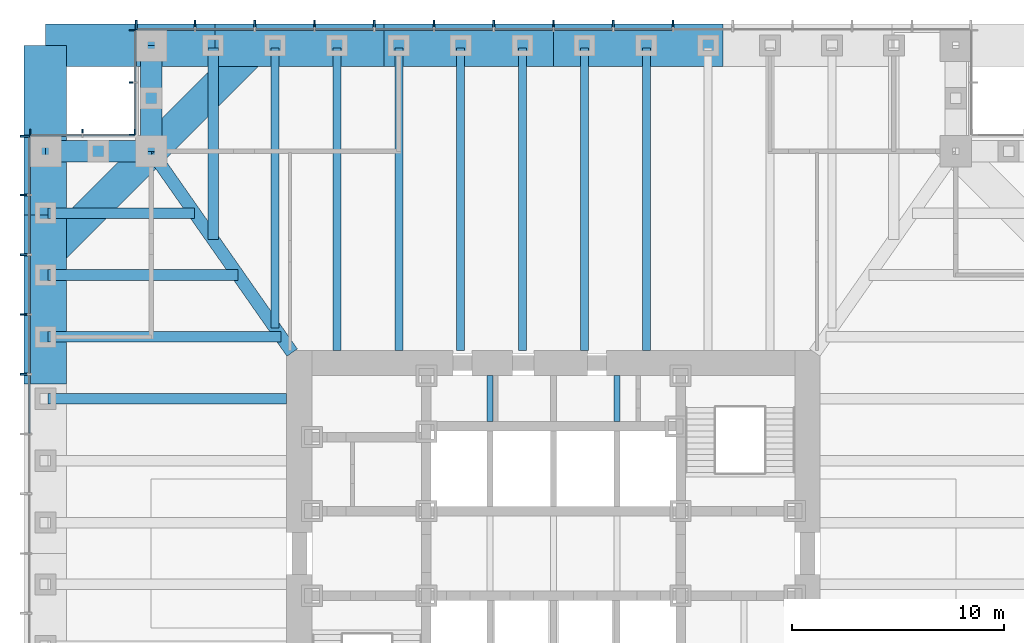
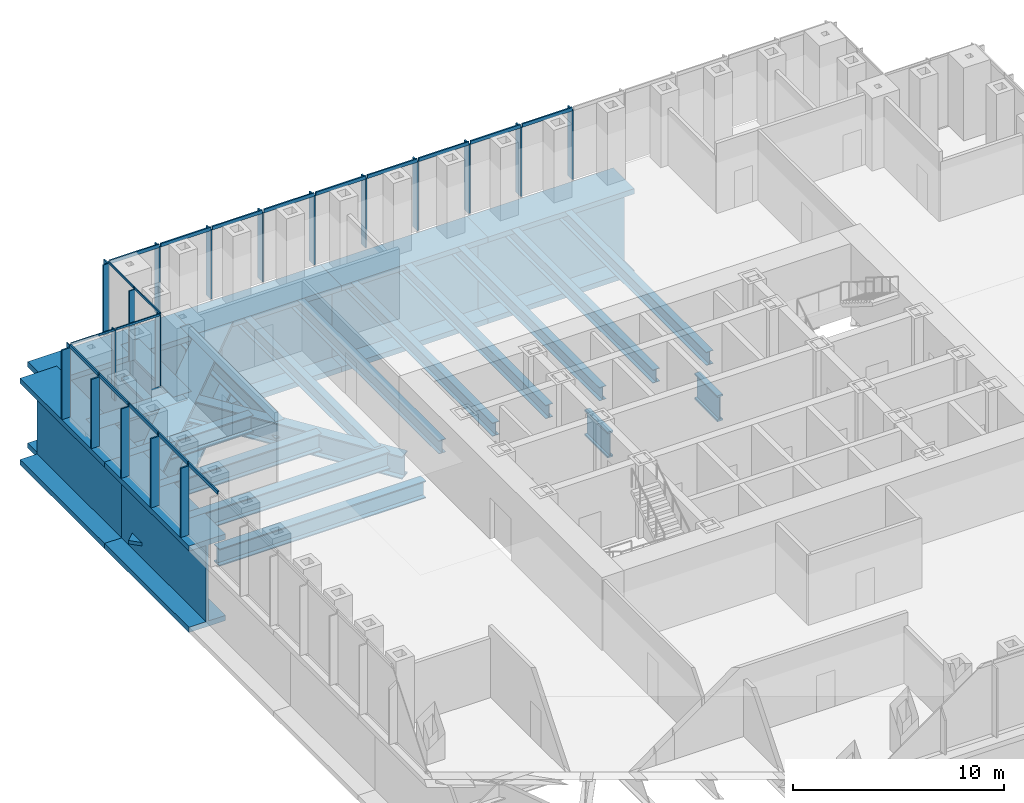
# One storey, part 5 of 16: 39 members, 24 beams, 4 elements without a shape of their own.
"""IFC4 building model written with IfcOpenShell, lengths in metres."""

from ifc_helpers import new_model, si_unit, direction, frame, origin, origin_2d, place, context, subcontext, project, spatial, rectangle, i_section, extrude, material, material_profile, profile_set, type_object, element, aggregate, save


model = new_model("IFC4")

# Units and contexts
model_context = context("Model", 3, precision=1e-05, world=origin(), true_north=direction((0.0, 1.0)))
body_context = subcontext(model_context, "Body", "Model", "MODEL_VIEW")
ifc_project = project(units=[si_unit("LENGTHUNIT", "METRE"), si_unit("AREAUNIT", "SQUARE_METRE"), si_unit("VOLUMEUNIT", "CUBIC_METRE"), si_unit("PLANEANGLEUNIT", "RADIAN"), si_unit("MASSUNIT", "GRAM", prefix="KILO")], contexts=[model_context])

# Site, building, storey
site_placement = place(None, origin())
site = spatial("IfcSite", under=ifc_project, at=site_placement, CompositionType="ELEMENT")
building_placement = place(site_placement, origin())
building = spatial("IfcBuilding", under=site, at=building_placement, Name="Daluyong Arena Tower", CompositionType="ELEMENT")
storey_placement = place(building_placement, frame((0.0, 0.0, 34.89990234375)))
storey = spatial("IfcBuildingStorey", under=building, at=storey_placement, Name="L06", CompositionType="ELEMENT", Elevation=34.89990234375)

# Curtain wall, members
ifc_material_1 = material(Name="Bronze anodised aluminium and glass", Category="aluminium")
curtain_wall_type_1 = type_object("IfcCurtainWallType", Name="Curtain wall CW1", PredefinedType="USERDEFINED", material=ifc_material_1)
curtain_wall_1_placement = place(storey_placement, origin())
curtain_wall_1 = element("IfcCurtainWall", 1, at=curtain_wall_1_placement, inside=storey, type_object=curtain_wall_type_1, Name="curtain wall L06 N", ObjectType="UNITISED CURTAIN WALL", PredefinedType="USERDEFINED")
ifc_material_2 = material(Name="Bronze anodised aluminium fin", Category="aluminium")
ifc_material_profile_1 = material_profile(ifc_material_2, rectangle(XDim=0.449951171875, YDim=0.080078125, at=origin_2d()))
ifc_profile_set_1 = profile_set([ifc_material_profile_1], Name="Bronze anodised aluminium fin")
member_type_1 = type_object("IfcMemberType", Name="CW1 bronze fin 450x80", PredefinedType="MULLION", material=ifc_profile_set_1)
member_1_placement = place(storey_placement, frame((61.642822265625, 104.97509765625, 0.0), z_axis=(0.0, 0.0, 1.0), x_axis=(0.0, -1.0, 0.0)))
member_1 = element("IfcMember", 2, at=member_1_placement, type_object=member_type_1, Name="curtain wall L06 N fin 6", PredefinedType="MULLION", context=body_context, shape_type="SweptSolid", body=[
    extrude(rectangle(XDim=0.449951171875, YDim=0.080078125, at=origin_2d()), origin(), (0.0, 0.0, 1.0), 4.0),
])
member_2_placement = place(storey_placement, frame((58.821533203125, 104.97509765625, 0.0), z_axis=(0.0, 0.0, 1.0), x_axis=(0.0, -1.0, 0.0)))
member_2 = element("IfcMember", 3, at=member_2_placement, type_object=member_type_1, Name="curtain wall L06 N fin 7", PredefinedType="MULLION", context=body_context, shape_type="SweptSolid", body=[
    extrude(rectangle(XDim=0.449951171875, YDim=0.080078125, at=origin_2d()), origin(), (0.0, 0.0, 1.0), 4.0),
])
member_3_placement = place(storey_placement, frame((56.0, 104.97509765625, 0.0), z_axis=(0.0, 0.0, 1.0), x_axis=(0.0, -1.0, 0.0)))
member_3 = element("IfcMember", 4, at=member_3_placement, type_object=member_type_1, Name="curtain wall L06 N fin 8", PredefinedType="MULLION", context=body_context, shape_type="SweptSolid", body=[
    extrude(rectangle(XDim=0.449951171875, YDim=0.080078125, at=origin_2d()), origin(), (0.0, 0.0, 1.0), 4.0),
])
member_4_placement = place(storey_placement, frame((53.178466796875, 104.97509765625, 0.0), z_axis=(0.0, 0.0, 1.0), x_axis=(0.0, -1.0, 0.0)))
member_4 = element("IfcMember", 5, at=member_4_placement, type_object=member_type_1, Name="curtain wall L06 N fin 9", PredefinedType="MULLION", context=body_context, shape_type="SweptSolid", body=[
    extrude(rectangle(XDim=0.449951171875, YDim=0.080078125, at=origin_2d()), origin(), (0.0, 0.0, 1.0), 4.0),
])
member_5_placement = place(storey_placement, frame((50.357177734375, 104.97509765625, 0.0), z_axis=(0.0, 0.0, 1.0), x_axis=(0.0, -1.0, 0.0)))
member_5 = element("IfcMember", 6, at=member_5_placement, type_object=member_type_1, Name="curtain wall L06 N fin 10", PredefinedType="MULLION", context=body_context, shape_type="SweptSolid", body=[
    extrude(rectangle(XDim=0.449951171875, YDim=0.080078125, at=origin_2d()), origin(), (0.0, 0.0, 1.0), 4.0),
])
member_6_placement = place(storey_placement, frame((47.53564453125, 104.97509765625, 0.0), z_axis=(0.0, 0.0, 1.0), x_axis=(0.0, -1.0, 0.0)))
member_6 = element("IfcMember", 7, at=member_6_placement, type_object=member_type_1, Name="curtain wall L06 N fin 11", PredefinedType="MULLION", context=body_context, shape_type="SweptSolid", body=[
    extrude(rectangle(XDim=0.449951171875, YDim=0.080078125, at=origin_2d()), origin(), (0.0, 0.0, 1.0), 4.0),
])
member_7_placement = place(storey_placement, frame((44.71435546875, 104.97509765625, 0.0), z_axis=(0.0, 0.0, 1.0), x_axis=(0.0, -1.0, 0.0)))
member_7 = element("IfcMember", 8, at=member_7_placement, type_object=member_type_1, Name="curtain wall L06 N fin 12", PredefinedType="MULLION", context=body_context, shape_type="SweptSolid", body=[
    extrude(rectangle(XDim=0.449951171875, YDim=0.080078125, at=origin_2d()), origin(), (0.0, 0.0, 1.0), 4.0),
])
member_8_placement = place(storey_placement, frame((41.892822265625, 104.97509765625, 0.0), z_axis=(0.0, 0.0, 1.0), x_axis=(0.0, -1.0, 0.0)))
member_8 = element("IfcMember", 9, at=member_8_placement, type_object=member_type_1, Name="curtain wall L06 N fin 13", PredefinedType="MULLION", context=body_context, shape_type="SweptSolid", body=[
    extrude(rectangle(XDim=0.449951171875, YDim=0.080078125, at=origin_2d()), origin(), (0.0, 0.0, 1.0), 4.0),
])
member_9_placement = place(storey_placement, frame((39.071533203125, 104.97509765625, 0.0), z_axis=(0.0, 0.0, 1.0), x_axis=(0.0, -1.0, 0.0)))
member_9 = element("IfcMember", 10, at=member_9_placement, type_object=member_type_1, Name="curtain wall L06 N fin 14", PredefinedType="MULLION", context=body_context, shape_type="SweptSolid", body=[
    extrude(rectangle(XDim=0.449951171875, YDim=0.080078125, at=origin_2d()), origin(), (0.0, 0.0, 1.0), 4.0),
])
member_10_placement = place(storey_placement, frame((36.2900390625, 104.97509765625, 0.0), z_axis=(0.0, 0.0, 1.0), x_axis=(0.0, -1.0, 0.0)))
member_10 = element("IfcMember", 11, at=member_10_placement, type_object=member_type_1, Name="curtain wall L06 N fin 15", PredefinedType="MULLION", context=body_context, shape_type="SweptSolid", body=[
    extrude(rectangle(XDim=0.449951171875, YDim=0.080078125, at=origin_2d()), origin(), (0.0, 0.0, 1.0), 4.0),
])

curtain_wall_2_placement = place(storey_placement, origin())
curtain_wall_2 = element("IfcCurtainWall", 12, at=curtain_wall_2_placement, inside=storey, type_object=curtain_wall_type_1, Name="curtain wall L06 W", ObjectType="UNITISED CURTAIN WALL", PredefinedType="USERDEFINED")
member_11_placement = place(storey_placement, frame((31.02490234375, 99.7099609375, 0.0), z_axis=(0.0, 0.0, 1.0), x_axis=(1.0, 0.0, 0.0)))
member_11 = element("IfcMember", 13, at=member_11_placement, type_object=member_type_1, Name="curtain wall L06 W fin 1", PredefinedType="MULLION", context=body_context, shape_type="SweptSolid", body=[
    extrude(rectangle(XDim=0.449951171875, YDim=0.080078125, at=origin_2d()), origin(), (0.0, 0.0, 1.0), 4.0),
])
member_12_placement = place(storey_placement, frame((31.02490234375, 96.928466796875, 0.0), z_axis=(0.0, 0.0, 1.0), x_axis=(1.0, 0.0, 0.0)))
member_12 = element("IfcMember", 14, at=member_12_placement, type_object=member_type_1, Name="curtain wall L06 W fin 2", PredefinedType="MULLION", context=body_context, shape_type="SweptSolid", body=[
    extrude(rectangle(XDim=0.449951171875, YDim=0.080078125, at=origin_2d()), origin(), (0.0, 0.0, 1.0), 4.0),
])
member_13_placement = place(storey_placement, frame((31.02490234375, 94.107177734375, 0.0), z_axis=(0.0, 0.0, 1.0), x_axis=(1.0, 0.0, 0.0)))
member_13 = element("IfcMember", 15, at=member_13_placement, type_object=member_type_1, Name="curtain wall L06 W fin 3", PredefinedType="MULLION", context=body_context, shape_type="SweptSolid", body=[
    extrude(rectangle(XDim=0.449951171875, YDim=0.080078125, at=origin_2d()), origin(), (0.0, 0.0, 1.0), 4.0),
])
member_14_placement = place(storey_placement, frame((31.02490234375, 91.28564453125, 0.0), z_axis=(0.0, 0.0, 1.0), x_axis=(1.0, 0.0, 0.0)))
member_14 = element("IfcMember", 16, at=member_14_placement, type_object=member_type_1, Name="curtain wall L06 W fin 4", PredefinedType="MULLION", context=body_context, shape_type="SweptSolid", body=[
    extrude(rectangle(XDim=0.449951171875, YDim=0.080078125, at=origin_2d()), origin(), (0.0, 0.0, 1.0), 4.0),
])
member_15_placement = place(storey_placement, frame((31.02490234375, 88.46435546875, 0.0), z_axis=(0.0, 0.0, 1.0), x_axis=(1.0, 0.0, 0.0)))
member_15 = element("IfcMember", 17, at=member_15_placement, type_object=member_type_1, Name="curtain wall L06 W fin 5", PredefinedType="MULLION", context=body_context, shape_type="SweptSolid", body=[
    extrude(rectangle(XDim=0.449951171875, YDim=0.080078125, at=origin_2d()), origin(), (0.0, 0.0, 1.0), 4.0),
])

# Member
ifc_material_3 = material(Name="Bronze anodised aluminium", Category="aluminium")
ifc_material_profile_2 = material_profile(ifc_material_3, rectangle(XDim=0.080078125, YDim=0.199951171875, at=origin_2d()))
ifc_profile_set_2 = profile_set([ifc_material_profile_2], Name="Bronze anodised aluminium")
member_type_2 = type_object("IfcMemberType", Name="CW1 stack transom 200x80", PredefinedType="USERDEFINED", material=ifc_profile_set_2)
member_16_placement = place(storey_placement, frame((61.602783203125, 104.75, 4.10009765625), z_axis=(-1.0, 0.0, 0.0), x_axis=(0.0, -1.0, 0.0)))
member_16 = element("IfcMember", 18, at=member_16_placement, type_object=member_type_2, Name="curtain wall L06 N transom 6", ObjectType="TRANSOM", PredefinedType="USERDEFINED", context=body_context, shape_type="SweptSolid", body=[
    extrude(rectangle(XDim=0.080078125, YDim=0.199951171875, at=origin_2d()), origin(), (0.0, 0.0, 1.0), 2.741455078125),
])

member_17_placement = place(storey_placement, frame((58.781494140625, 104.75, 4.10009765625), z_axis=(-1.0, 0.0, 0.0), x_axis=(0.0, -1.0, 0.0)))
member_17 = element("IfcMember", 19, at=member_17_placement, type_object=member_type_2, Name="curtain wall L06 N transom 7", ObjectType="TRANSOM", PredefinedType="USERDEFINED", context=body_context, shape_type="SweptSolid", body=[
    extrude(rectangle(XDim=0.080078125, YDim=0.199951171875, at=origin_2d()), origin(), (0.0, 0.0, 1.0), 2.741455078125),
])

member_18_placement = place(storey_placement, frame((55.9599609375, 104.75, 4.10009765625), z_axis=(-1.0, 0.0, 0.0), x_axis=(0.0, -1.0, 0.0)))
member_18 = element("IfcMember", 20, at=member_18_placement, type_object=member_type_2, Name="curtain wall L06 N transom 8", ObjectType="TRANSOM", PredefinedType="USERDEFINED", context=body_context, shape_type="SweptSolid", body=[
    extrude(rectangle(XDim=0.080078125, YDim=0.199951171875, at=origin_2d()), origin(), (0.0, 0.0, 1.0), 2.741455078125),
])

member_19_placement = place(storey_placement, frame((53.138671875, 104.75, 4.10009765625), z_axis=(-1.0, 0.0, 0.0), x_axis=(0.0, -1.0, 0.0)))
member_19 = element("IfcMember", 21, at=member_19_placement, type_object=member_type_2, Name="curtain wall L06 N transom 9", ObjectType="TRANSOM", PredefinedType="USERDEFINED", context=body_context, shape_type="SweptSolid", body=[
    extrude(rectangle(XDim=0.080078125, YDim=0.199951171875, at=origin_2d()), origin(), (0.0, 0.0, 1.0), 2.741455078125),
])

member_20_placement = place(storey_placement, frame((50.317138671875, 104.75, 4.10009765625), z_axis=(-1.0, 0.0, 0.0), x_axis=(0.0, -1.0, 0.0)))
member_20 = element("IfcMember", 22, at=member_20_placement, type_object=member_type_2, Name="curtain wall L06 N transom 10", ObjectType="TRANSOM", PredefinedType="USERDEFINED", context=body_context, shape_type="SweptSolid", body=[
    extrude(rectangle(XDim=0.080078125, YDim=0.199951171875, at=origin_2d()), origin(), (0.0, 0.0, 1.0), 2.741455078125),
])

member_21_placement = place(storey_placement, frame((47.49560546875, 104.75, 4.10009765625), z_axis=(-1.0, 0.0, 0.0), x_axis=(0.0, -1.0, 0.0)))
member_21 = element("IfcMember", 23, at=member_21_placement, type_object=member_type_2, Name="curtain wall L06 N transom 11", ObjectType="TRANSOM", PredefinedType="USERDEFINED", context=body_context, shape_type="SweptSolid", body=[
    extrude(rectangle(XDim=0.080078125, YDim=0.199951171875, at=origin_2d()), origin(), (0.0, 0.0, 1.0), 2.7412109375),
])

member_22_placement = place(storey_placement, frame((44.67431640625, 104.75, 4.10009765625), z_axis=(-1.0, 0.0, 0.0), x_axis=(0.0, -1.0, 0.0)))
member_22 = element("IfcMember", 24, at=member_22_placement, type_object=member_type_2, Name="curtain wall L06 N transom 12", ObjectType="TRANSOM", PredefinedType="USERDEFINED", context=body_context, shape_type="SweptSolid", body=[
    extrude(rectangle(XDim=0.080078125, YDim=0.199951171875, at=origin_2d()), origin(), (0.0, 0.0, 1.0), 2.741455078125),
])

member_23_placement = place(storey_placement, frame((41.852783203125, 104.75, 4.10009765625), z_axis=(-1.0, 0.0, 0.0), x_axis=(0.0, -1.0, 0.0)))
member_23 = element("IfcMember", 25, at=member_23_placement, type_object=member_type_2, Name="curtain wall L06 N transom 13", ObjectType="TRANSOM", PredefinedType="USERDEFINED", context=body_context, shape_type="SweptSolid", body=[
    extrude(rectangle(XDim=0.080078125, YDim=0.199951171875, at=origin_2d()), origin(), (0.0, 0.0, 1.0), 2.741455078125),
])

member_24_placement = place(storey_placement, frame((39.031494140625, 104.75, 4.10009765625), z_axis=(-1.0, 0.0, 0.0), x_axis=(0.0, -1.0, 0.0)))
member_24 = element("IfcMember", 26, at=member_24_placement, type_object=member_type_2, Name="curtain wall L06 N transom 14", ObjectType="TRANSOM", PredefinedType="USERDEFINED", context=body_context, shape_type="SweptSolid", body=[
    extrude(rectangle(XDim=0.080078125, YDim=0.199951171875, at=origin_2d()), origin(), (0.0, 0.0, 1.0), 2.701416015625),
])

aggregate(curtain_wall_1, [member_1, member_2, member_3, member_4, member_5, member_6, member_7, member_8, member_9, member_10, member_16, member_17, member_18, member_19, member_20, member_21, member_22, member_23, member_24])

member_25_placement = place(storey_placement, frame((31.25, 99.669921875, 4.10009765625), z_axis=(0.0, -1.0, 0.0), x_axis=(1.0, 0.0, 0.0)))
member_25 = element("IfcMember", 27, at=member_25_placement, type_object=member_type_2, Name="curtain wall L06 W transom 1", ObjectType="TRANSOM", PredefinedType="USERDEFINED", context=body_context, shape_type="SweptSolid", body=[
    extrude(rectangle(XDim=0.080078125, YDim=0.199951171875, at=origin_2d()), origin(), (0.0, 0.0, 1.0), 2.701416015625),
])

member_26_placement = place(storey_placement, frame((31.25, 96.888671875, 4.10009765625), z_axis=(0.0, -1.0, 0.0), x_axis=(1.0, 0.0, 0.0)))
member_26 = element("IfcMember", 28, at=member_26_placement, type_object=member_type_2, Name="curtain wall L06 W transom 2", ObjectType="TRANSOM", PredefinedType="USERDEFINED", context=body_context, shape_type="SweptSolid", body=[
    extrude(rectangle(XDim=0.080078125, YDim=0.199951171875, at=origin_2d()), origin(), (0.0, 0.0, 1.0), 2.741455078125),
])

member_27_placement = place(storey_placement, frame((31.25, 94.067138671875, 4.10009765625), z_axis=(0.0, -1.0, 0.0), x_axis=(1.0, 0.0, 0.0)))
member_27 = element("IfcMember", 29, at=member_27_placement, type_object=member_type_2, Name="curtain wall L06 W transom 3", ObjectType="TRANSOM", PredefinedType="USERDEFINED", context=body_context, shape_type="SweptSolid", body=[
    extrude(rectangle(XDim=0.080078125, YDim=0.199951171875, at=origin_2d()), origin(), (0.0, 0.0, 1.0), 2.741455078125),
])

member_28_placement = place(storey_placement, frame((31.25, 91.24560546875, 4.10009765625), z_axis=(0.0, -1.0, 0.0), x_axis=(1.0, 0.0, 0.0)))
member_28 = element("IfcMember", 30, at=member_28_placement, type_object=member_type_2, Name="curtain wall L06 W transom 4", ObjectType="TRANSOM", PredefinedType="USERDEFINED", context=body_context, shape_type="SweptSolid", body=[
    extrude(rectangle(XDim=0.080078125, YDim=0.199951171875, at=origin_2d()), origin(), (0.0, 0.0, 1.0), 2.7412109375),
])

member_29_placement = place(storey_placement, frame((31.25, 88.42431640625, 4.10009765625), z_axis=(0.0, -1.0, 0.0), x_axis=(1.0, 0.0, 0.0)))
member_29 = element("IfcMember", 31, at=member_29_placement, type_object=member_type_2, Name="curtain wall L06 W transom 5", ObjectType="TRANSOM", PredefinedType="USERDEFINED", context=body_context, shape_type="SweptSolid", body=[
    extrude(rectangle(XDim=0.080078125, YDim=0.199951171875, at=origin_2d()), origin(), (0.0, 0.0, 1.0), 2.741455078125),
])

aggregate(curtain_wall_2, [member_11, member_12, member_13, member_14, member_15, member_25, member_26, member_27, member_28, member_29])

# Curtain wall, members
ifc_material_4 = material(Name="Bronze anodised aluminium and glass", Category="aluminium")
curtain_wall_type_2 = type_object("IfcCurtainWallType", Name="Curtain wall CW7", PredefinedType="USERDEFINED", material=ifc_material_4)
curtain_wall_3_placement = place(storey_placement, origin())
curtain_wall_3 = element("IfcCurtainWall", 32, at=curtain_wall_3_placement, inside=storey, type_object=curtain_wall_type_2, Name="curtain wall L06 NW-W", ObjectType="UNITISED CURTAIN WALL", PredefinedType="USERDEFINED")
ifc_material_5 = material(Name="Bronze anodised aluminium fin", Category="aluminium")
ifc_material_profile_3 = material_profile(ifc_material_5, rectangle(XDim=0.300048828125, YDim=0.06005859375, at=origin_2d()))
ifc_profile_set_3 = profile_set([ifc_material_profile_3], Name="Bronze anodised aluminium fin")
member_type_3 = type_object("IfcMemberType", Name="CW7 bronze fin 300x60", PredefinedType="MULLION", material=ifc_profile_set_3)
member_30_placement = place(storey_placement, frame((36.10009765625, 104.719970703125, 0.0), z_axis=(0.0, 0.0, 1.0), x_axis=(1.0, 0.0, 0.0)))
member_30 = element("IfcMember", 33, at=member_30_placement, type_object=member_type_3, Name="curtain wall L06 NW-W fin 1", PredefinedType="MULLION", context=body_context, shape_type="SweptSolid", body=[
    extrude(rectangle(XDim=0.300048828125, YDim=0.06005859375, at=origin_2d()), origin(), (0.0, 0.0, 1.0), 4.080078125),
])
member_31_placement = place(storey_placement, frame((36.10009765625, 102.25, 0.0), z_axis=(0.0, 0.0, 1.0), x_axis=(1.0, 0.0, 0.0)))
member_31 = element("IfcMember", 34, at=member_31_placement, type_object=member_type_3, Name="curtain wall L06 NW-W fin 2", PredefinedType="MULLION", context=body_context, shape_type="SweptSolid", body=[
    extrude(rectangle(XDim=0.300048828125, YDim=0.06005859375, at=origin_2d()), origin(), (0.0, 0.0, 1.0), 4.080078125),
])
member_32_placement = place(storey_placement, frame((36.10009765625, 99.780029296875, 0.0), z_axis=(0.0, 0.0, 1.0), x_axis=(1.0, 0.0, 0.0)))
member_32 = element("IfcMember", 35, at=member_32_placement, type_object=member_type_3, Name="curtain wall L06 NW-W fin 3", PredefinedType="MULLION", context=body_context, shape_type="SweptSolid", body=[
    extrude(rectangle(XDim=0.300048828125, YDim=0.06005859375, at=origin_2d()), origin(), (0.0, 0.0, 1.0), 4.080078125),
])

curtain_wall_4_placement = place(storey_placement, origin())
curtain_wall_4 = element("IfcCurtainWall", 36, at=curtain_wall_4_placement, inside=storey, type_object=curtain_wall_type_2, Name="curtain wall L06 NW-N", ObjectType="UNITISED CURTAIN WALL", PredefinedType="USERDEFINED")
member_33_placement = place(storey_placement, frame((36.219970703125, 99.89990234375, 0.0), z_axis=(0.0, 0.0, 1.0), x_axis=(0.0, -1.0, 0.0)))
member_33 = element("IfcMember", 37, at=member_33_placement, type_object=member_type_3, Name="curtain wall L06 NW-N fin 1", PredefinedType="MULLION", context=body_context, shape_type="SweptSolid", body=[
    extrude(rectangle(XDim=0.300048828125, YDim=0.06005859375, at=origin_2d()), origin(), (0.0, 0.0, 1.0), 4.080078125),
])
member_34_placement = place(storey_placement, frame((33.75, 99.89990234375, 0.0), z_axis=(0.0, 0.0, 1.0), x_axis=(0.0, -1.0, 0.0)))
member_34 = element("IfcMember", 38, at=member_34_placement, type_object=member_type_3, Name="curtain wall L06 NW-N fin 2", PredefinedType="MULLION", context=body_context, shape_type="SweptSolid", body=[
    extrude(rectangle(XDim=0.300048828125, YDim=0.06005859375, at=origin_2d()), origin(), (0.0, 0.0, 1.0), 4.080078125),
])
member_35_placement = place(storey_placement, frame((31.280029296875, 99.89990234375, 0.0), z_axis=(0.0, 0.0, 1.0), x_axis=(0.0, -1.0, 0.0)))
member_35 = element("IfcMember", 39, at=member_35_placement, type_object=member_type_3, Name="curtain wall L06 NW-N fin 3", PredefinedType="MULLION", context=body_context, shape_type="SweptSolid", body=[
    extrude(rectangle(XDim=0.300048828125, YDim=0.06005859375, at=origin_2d()), origin(), (0.0, 0.0, 1.0), 4.080078125),
])

# Member
ifc_material_6 = material(Name="Bronze anodised aluminium", Category="aluminium")
ifc_material_profile_4 = material_profile(ifc_material_6, rectangle(XDim=0.06005859375, YDim=0.1201171875, at=origin_2d()))
ifc_profile_set_4 = profile_set([ifc_material_profile_4], Name="Bronze anodised aluminium")
member_type_4 = type_object("IfcMemberType", Name="CW7 stack transom 120x60", PredefinedType="USERDEFINED", material=ifc_profile_set_4)
member_36_placement = place(storey_placement, frame((36.25, 104.68994140625, 4.14013671875), z_axis=(0.0, -1.0, 0.0), x_axis=(1.0, 0.0, 0.0)))
member_36 = element("IfcMember", 40, at=member_36_placement, type_object=member_type_4, Name="curtain wall L06 NW-W transom 1", ObjectType="TRANSOM", PredefinedType="USERDEFINED", context=body_context, shape_type="SweptSolid", body=[
    extrude(rectangle(XDim=0.06005859375, YDim=0.1201171875, at=origin_2d()), origin(), (0.0, 0.0, 1.0), 2.409912109375),
])

member_37_placement = place(storey_placement, frame((36.25, 102.219970703125, 4.14013671875), z_axis=(0.0, -1.0, 0.0), x_axis=(1.0, 0.0, 0.0)))
member_37 = element("IfcMember", 41, at=member_37_placement, type_object=member_type_4, Name="curtain wall L06 NW-W transom 2", ObjectType="TRANSOM", PredefinedType="USERDEFINED", context=body_context, shape_type="SweptSolid", body=[
    extrude(rectangle(XDim=0.06005859375, YDim=0.1201171875, at=origin_2d()), origin(), (0.0, 0.0, 1.0), 2.409912109375),
])

aggregate(curtain_wall_3, [member_30, member_31, member_32, member_36, member_37])

member_38_placement = place(storey_placement, frame((36.18994140625, 99.75, 4.14013671875), z_axis=(-1.0, 0.0, 0.0), x_axis=(0.0, -1.0, 0.0)))
member_38 = element("IfcMember", 42, at=member_38_placement, type_object=member_type_4, Name="curtain wall L06 NW-N transom 1", ObjectType="TRANSOM", PredefinedType="USERDEFINED", context=body_context, shape_type="SweptSolid", body=[
    extrude(rectangle(XDim=0.06005859375, YDim=0.1201171875, at=origin_2d()), origin(), (0.0, 0.0, 1.0), 2.409912109375),
])

member_39_placement = place(storey_placement, frame((33.719970703125, 99.75, 4.14013671875), z_axis=(-1.0, 0.0, 0.0), x_axis=(0.0, -1.0, 0.0)))
member_39 = element("IfcMember", 43, at=member_39_placement, type_object=member_type_4, Name="curtain wall L06 NW-N transom 2", ObjectType="TRANSOM", PredefinedType="USERDEFINED", context=body_context, shape_type="SweptSolid", body=[
    extrude(rectangle(XDim=0.06005859375, YDim=0.1201171875, at=origin_2d()), origin(), (0.0, 0.0, 1.0), 2.409912109375),
])

aggregate(curtain_wall_4, [member_33, member_34, member_35, member_38, member_39])

# Beams
ifc_material_7 = material(Name="Steel ASTM A572 Grade 50", Category="steel")
ifc_material_profile_5 = material_profile(ifc_material_7, i_section(OverallWidth=0.60009765625, OverallDepth=1.300048828125, WebThickness=0.035, FlangeThickness=0.07, at=origin_2d()))
ifc_profile_set_5 = profile_set([ifc_material_profile_5], Name="Steel ASTM A572 Grade 50")
beam_type_1 = type_object("IfcBeamType", Name="Corner girder TB1300X600", PredefinedType="BEAM", material=ifc_profile_set_5)
beam_1_placement = place(storey_placement, frame((37.06591796875, 98.90576171875, -0.949951171875), z_axis=(0.573466621875, -0.819228926244, 0.0), x_axis=(0.819228926244, 0.573466621875, 0.0)))
element("IfcBeam", 44, at=beam_1_placement, inside=storey, type_object=beam_type_1, Name="corner girder DG1", PredefinedType="BEAM", context=body_context, shape_type="SweptSolid", body=[
    extrude(i_section(OverallWidth=0.60009765625, OverallDepth=1.300048828125, WebThickness=0.035, FlangeThickness=0.07, at=origin_2d()), origin(), (0.0, 0.0, 1.0), 11.49169921875),
])
ifc_material_8 = material(Name="Steel ASTM A572 Grade 50", Category="steel")
ifc_material_profile_6 = material_profile(ifc_material_8, i_section(OverallWidth=0.5, OverallDepth=1.0, WebThickness=0.03, FlangeThickness=0.06, at=origin_2d()))
ifc_profile_set_6 = profile_set([ifc_material_profile_6], Name="Steel ASTM A572 Grade 50")
beam_type_2 = type_object("IfcBeamType", Name="Floor beam TB1000X500", PredefinedType="BEAM", material=ifc_profile_set_6)
beam_2_placement = place(storey_placement, frame((39.923095703125, 103.885009765625, -0.7998046875), z_axis=(0.0, -1.0, 0.0), x_axis=(1.0, 0.0, 0.0)))
element("IfcBeam", 45, at=beam_2_placement, inside=storey, type_object=beam_type_2, Name="floor beam FB1", PredefinedType="BEAM", context=body_context, shape_type="SweptSolid", body=[
    extrude(i_section(OverallWidth=0.5, OverallDepth=1.0, WebThickness=0.03, FlangeThickness=0.06, at=origin_2d()), origin(), (0.0, 0.0, 1.0), 9.060791015625),
])
beam_3_placement = place(storey_placement, frame((32.114990234375, 96.076904296875, -0.7998046875), z_axis=(1.0, 0.0, 0.0), x_axis=(0.0, 1.0, 0.0)))
element("IfcBeam", 46, at=beam_3_placement, inside=storey, type_object=beam_type_2, Name="floor beam FB1", PredefinedType="BEAM", context=body_context, shape_type="SweptSolid", body=[
    extrude(i_section(OverallWidth=0.5, OverallDepth=1.0, WebThickness=0.03, FlangeThickness=0.06, at=origin_2d()), origin(), (0.0, 0.0, 1.0), 6.93115234375),
])
beam_4_placement = place(storey_placement, frame((32.114990234375, 93.15380859375, -0.7998046875), z_axis=(1.0, 0.0, 0.0), x_axis=(0.0, 1.0, 0.0)))
element("IfcBeam", 47, at=beam_4_placement, inside=storey, type_object=beam_type_2, Name="floor beam FB1", PredefinedType="BEAM", context=body_context, shape_type="SweptSolid", body=[
    extrude(i_section(OverallWidth=0.5, OverallDepth=1.0, WebThickness=0.03, FlangeThickness=0.06, at=origin_2d()), origin(), (0.0, 0.0, 1.0), 8.977294921875),
])
beam_5_placement = place(storey_placement, frame((32.114990234375, 90.230712890625, -0.7998046875), z_axis=(1.0, 0.0, 0.0), x_axis=(0.0, 1.0, 0.0)))
element("IfcBeam", 48, at=beam_5_placement, inside=storey, type_object=beam_type_2, Name="floor beam FB1", PredefinedType="BEAM", context=body_context, shape_type="SweptSolid", body=[
    extrude(i_section(OverallWidth=0.5, OverallDepth=1.0, WebThickness=0.03, FlangeThickness=0.06, at=origin_2d()), origin(), (0.0, 0.0, 1.0), 11.0234375),
])
beam_6_placement = place(storey_placement, frame((32.114990234375, 87.3076171875, -0.7998046875), z_axis=(1.0, 0.0, 0.0), x_axis=(0.0, 1.0, 0.0)))
element("IfcBeam", 49, at=beam_6_placement, inside=storey, type_object=beam_type_2, Name="floor beam FB1", PredefinedType="BEAM", context=body_context, shape_type="SweptSolid", body=[
    extrude(i_section(OverallWidth=0.5, OverallDepth=1.0, WebThickness=0.03, FlangeThickness=0.06, at=origin_2d()), origin(), (0.0, 0.0, 1.0), 11.284912109375),
])
ifc_material_9 = material(Name="Steel ASTM A992 Grade 50", Category="steel")
ifc_material_profile_7 = material_profile(ifc_material_9, i_section(OverallWidth=0.381103515625, OverallDepth=0.772216796875, WebThickness=0.0166015625, FlangeThickness=0.027099609375, at=origin_2d()))
ifc_profile_set_7 = profile_set([ifc_material_profile_7], Name="Steel ASTM A992 Grade 50")
beam_type_3 = type_object("IfcBeamType", Name="Floor beam W30X173", PredefinedType="BEAM", material=ifc_profile_set_7)
for number, where, z_axis, x_axis, name in (
    (50, (60.384521484375, 103.885009765625, -0.68603515625), (0.0, -1.0, 0.0), (1.0, 0.0, 0.0), "floor beam FB2"),
    (51, (57.46142578125, 103.885009765625, -0.68603515625), (0.0, -1.0, 0.0), (1.0, 0.0, 0.0), "floor beam FB2"),
    (52, (54.53857421875, 103.885009765625, -0.68603515625), (0.0, -1.0, 0.0), (1.0, 0.0, 0.0), "floor beam FB2"),
    (53, (51.615478515625, 103.885009765625, -0.68603515625), (0.0, -1.0, 0.0), (1.0, 0.0, 0.0), "floor beam FB2"),
    (54, (48.6923828125, 103.885009765625, -0.68603515625), (0.0, -1.0, 0.0), (1.0, 0.0, 0.0), "floor beam FB2"),
    (55, (45.769287109375, 103.885009765625, -0.68603515625), (0.0, -1.0, 0.0), (1.0, 0.0, 0.0), "floor beam FB2"),
):
    element("IfcBeam", number, at=place(storey_placement, frame(where, z_axis=z_axis, x_axis=x_axis)), inside=storey, type_object=beam_type_3, Name=name, PredefinedType="BEAM", context=body_context, shape_type="SweptSolid", body=[
        extrude(i_section(OverallWidth=0.381103515625, OverallDepth=0.772216796875, WebThickness=0.0166015625, FlangeThickness=0.027099609375, at=origin_2d()), origin(), (0.0, 0.0, 1.0), 14.284912109375),
    ])
beam_7_placement = place(storey_placement, frame((42.84619140625, 103.885009765625, -0.68603515625), z_axis=(0.0, -1.0, 0.0), x_axis=(1.0, 0.0, 0.0)))
element("IfcBeam", 56, at=beam_7_placement, inside=storey, type_object=beam_type_3, Name="floor beam FB2", PredefinedType="BEAM", context=body_context, shape_type="SweptSolid", body=[
    extrude(i_section(OverallWidth=0.381103515625, OverallDepth=0.772216796875, WebThickness=0.0166015625, FlangeThickness=0.027099609375, at=origin_2d()), origin(), (0.0, 0.0, 1.0), 13.236572265625),
])
ifc_material_10 = material(Name="Steel ASTM A572 Grade 50", Category="steel")
ifc_material_profile_8 = material_profile(ifc_material_10, i_section(OverallWidth=0.300048828125, OverallDepth=1.5, WebThickness=0.04, FlangeThickness=0.1, at=origin_2d()))
ifc_profile_set_8 = profile_set([ifc_material_profile_8], Name="Steel ASTM A572 Grade 50")
beam_type_4 = type_object("IfcBeamType", Name="Lift divider beam PG1500X300", PredefinedType="BEAM", material=ifc_profile_set_8)
for number, where, z_axis, x_axis, name in (
    (57, (53.0, 86.22509765625, -1.0498046875), (0.0, 1.0, 0.0), (-1.0, 0.0, 0.0), "lift divider beam DB2"),
    (58, (59.0, 86.22509765625, -1.0498046875), (0.0, 1.0, 0.0), (-1.0, 0.0, 0.0), "lift divider beam DB2"),
):
    element("IfcBeam", number, at=place(storey_placement, frame(where, z_axis=z_axis, x_axis=x_axis)), inside=storey, type_object=beam_type_4, Name=name, PredefinedType="BEAM", context=body_context, shape_type="SweptSolid", body=[
        extrude(i_section(OverallWidth=0.300048828125, OverallDepth=1.5, WebThickness=0.04, FlangeThickness=0.1, at=origin_2d()), origin(), (0.0, 0.0, 1.0), 2.1748046875),
    ])
ifc_material_11 = material(Name="Steel ASTM A36", Category="steel")
ifc_material_profile_9 = material_profile(ifc_material_11, i_section(OverallWidth=2.0, OverallDepth=5.0, WebThickness=0.14, FlangeThickness=0.3, at=origin_2d()))
ifc_profile_set_9 = profile_set([ifc_material_profile_9], Name="Steel ASTM A36")
beam_type_5 = type_object("IfcBeamType", Name="Tower transfer girder PG5000X2000", PredefinedType="BEAM", material=ifc_profile_set_9)
for number, where, z_axis, x_axis, name in (
    (59, (32.0, 88.0, -2.7998046875), (0.0, 1.0, 0.0), (-1.0, 0.0, 0.0), "tower transfer girder TG2"),
    (60, (32.0, 96.0, -2.7998046875), (0.0, 1.0, 0.0), (-1.0, 0.0, 0.0), "tower transfer girder TG2"),
    (61, (32.0, 104.0, -2.7998046875), (1.0, 0.0, 0.0), (0.0, 1.0, 0.0), "tower transfer girder TG2"),
    (62, (40.0, 104.0, -2.7998046875), (1.0, 0.0, 0.0), (0.0, 1.0, 0.0), "tower transfer girder TG2"),
    (63, (48.0, 104.0, -2.7998046875), (1.0, 0.0, 0.0), (0.0, 1.0, 0.0), "tower transfer girder TG2"),
    (64, (56.0, 104.0, -2.7998046875), (1.0, 0.0, 0.0), (0.0, 1.0, 0.0), "tower transfer girder TG2"),
):
    element("IfcBeam", number, at=place(storey_placement, frame(where, z_axis=z_axis, x_axis=x_axis)), inside=storey, type_object=beam_type_5, Name=name, PredefinedType="BEAM", context=body_context, shape_type="SweptSolid", body=[
        extrude(i_section(OverallWidth=2.0, OverallDepth=5.0, WebThickness=0.14, FlangeThickness=0.3, at=origin_2d()), origin(), (0.0, 0.0, 1.0), 8.0),
    ])
ifc_material_12 = material(Name="Steel ASTM A588 Grade 50", Category="steel")
ifc_material_profile_10 = material_profile(ifc_material_12, i_section(OverallWidth=1.0, OverallDepth=2.0, WebThickness=0.06, FlangeThickness=0.15, at=origin_2d()))
ifc_profile_set_10 = profile_set([ifc_material_profile_10], Name="Steel ASTM A588 Grade 50")
beam_type_6 = type_object("IfcBeamType", Name="Transfer beam PG2000X1000", PredefinedType="BEAM", material=ifc_profile_set_10)
for number, where, z_axis, x_axis, name in (
    (65, (37.0, 104.0, -1.2998046875), (0.0, -1.0, 0.0), (1.0, 0.0, 0.0), "transfer beam TR2"),
    (66, (32.0, 99.0, -1.2998046875), (1.0, 0.0, 0.0), (0.0, 1.0, 0.0), "transfer beam TR2"),
):
    element("IfcBeam", number, at=place(storey_placement, frame(where, z_axis=z_axis, x_axis=x_axis)), inside=storey, type_object=beam_type_6, Name=name, PredefinedType="BEAM", context=body_context, shape_type="SweptSolid", body=[
        extrude(i_section(OverallWidth=1.0, OverallDepth=2.0, WebThickness=0.06, FlangeThickness=0.15, at=origin_2d()), origin(), (0.0, 0.0, 1.0), 5.0),
    ])
ifc_material_13 = material(Name="Steel ASTM A588 Grade 50", Category="steel")
ifc_material_profile_11 = material_profile(ifc_material_13, i_section(OverallWidth=1.5, OverallDepth=4.0, WebThickness=0.1, FlangeThickness=0.2, at=origin_2d()))
ifc_profile_set_11 = profile_set([ifc_material_profile_11], Name="Steel ASTM A588 Grade 50")
beam_type_7 = type_object("IfcBeamType", Name="Transfer beam PG4000X1500", PredefinedType="BEAM", material=ifc_profile_set_11)
beam_8_placement = place(storey_placement, frame((32.0, 94.0, -2.2998046875), z_axis=(0.707106781187, 0.707106781187, 0.0), x_axis=(-0.707106781187, 0.707106781187, 0.0)))
element("IfcBeam", 67, at=beam_8_placement, inside=storey, type_object=beam_type_7, Name="transfer beam TR1", PredefinedType="BEAM", context=body_context, shape_type="SweptSolid", body=[
    extrude(i_section(OverallWidth=1.5, OverallDepth=4.0, WebThickness=0.1, FlangeThickness=0.2, at=origin_2d()), origin(), (0.0, 0.0, 1.0), 14.14208984375),
])

save(model, "model.ifc")
